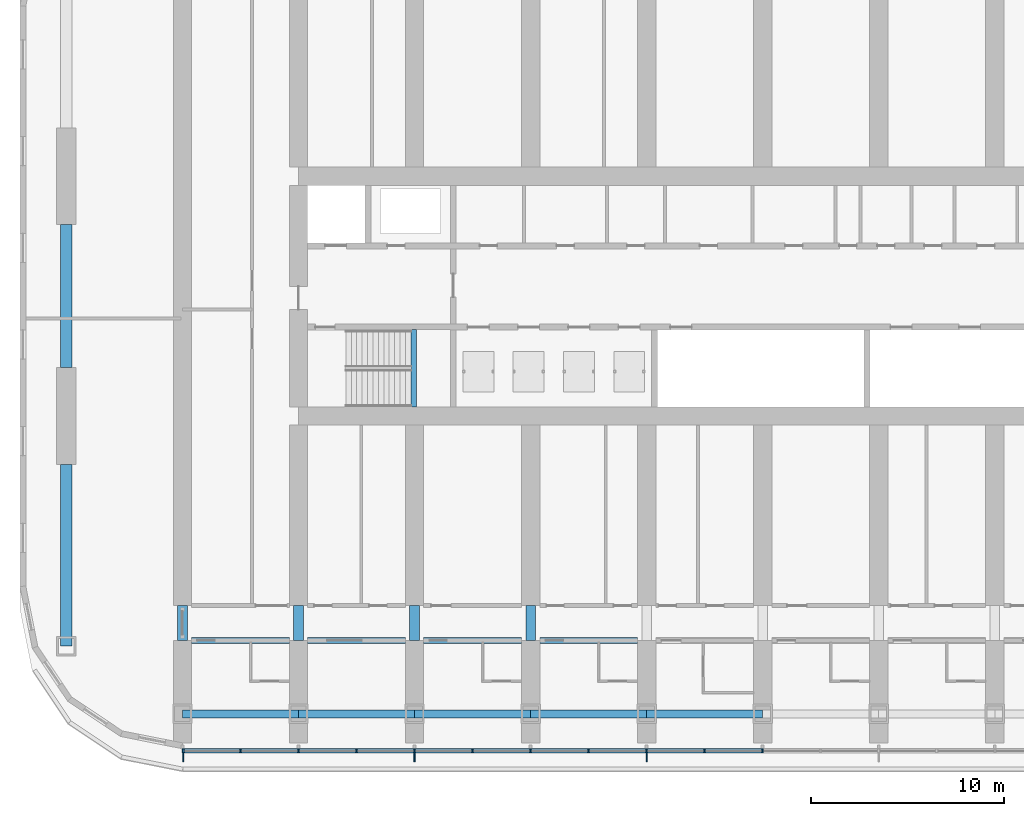
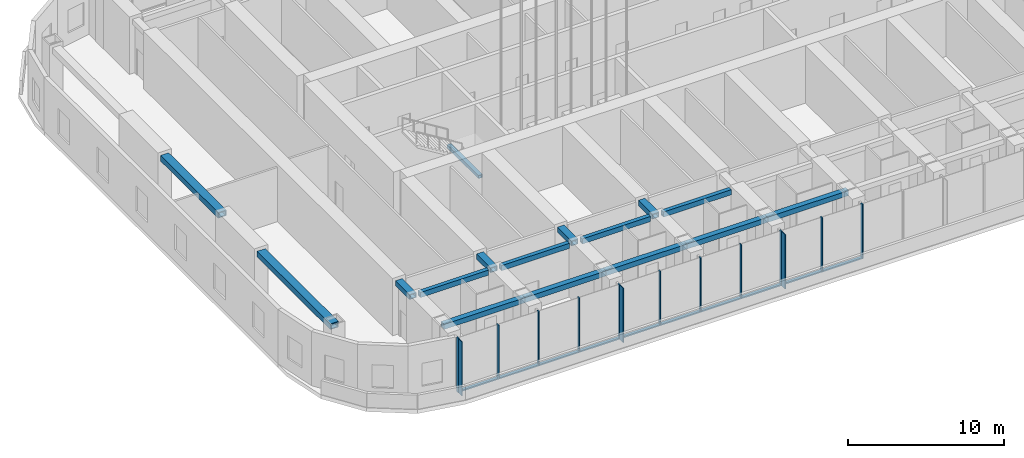
# One storey, part 2 of 31: 24 members, 16 beams, 1 element without a shape of its own.
"""IFC4 building model written with IfcOpenShell, lengths in metres."""

from ifc_helpers import new_model, si_unit, direction, frame, origin, origin_2d, place, context, subcontext, project, spatial, rectangle, hollow_rectangle, extrude, material, material_profile, profile_set, type_object, element, aggregate, save


model = new_model("IFC4")

# Units and contexts
model_context = context("Model", 3, precision=1e-05, world=origin(), true_north=direction((0.0, 1.0)))
body_context = subcontext(model_context, "Body", "Model", "MODEL_VIEW")
ifc_project = project(units=[si_unit("LENGTHUNIT", "METRE"), si_unit("AREAUNIT", "SQUARE_METRE"), si_unit("VOLUMEUNIT", "CUBIC_METRE"), si_unit("PLANEANGLEUNIT", "RADIAN"), si_unit("MASSUNIT", "GRAM", prefix="KILO")], contexts=[model_context])

# Site, building, storey
site_placement = place(None, origin())
site = spatial("IfcSite", under=ifc_project, at=site_placement, CompositionType="ELEMENT")
building_placement = place(site_placement, origin())
building = spatial("IfcBuilding", under=site, at=building_placement, Name="Orbita Commons", CompositionType="ELEMENT")
storey_placement = place(building_placement, frame((0.0, 0.0, 76.14990234375)))
storey = spatial("IfcBuildingStorey", under=building, at=storey_placement, Name="L18", CompositionType="ELEMENT", Elevation=76.14990234375)

# Curtain wall, members
ifc_material_1 = material(Name="Anodised aluminium frame, pale silver", Category="aluminium")
curtain_wall_type = type_object("IfcCurtainWallType", Name="Unitised curtain wall CW-S, full-height", PredefinedType="NOTDEFINED", material=ifc_material_1)
curtain_wall_placement = place(storey_placement, origin())
curtain_wall = element("IfcCurtainWall", 1, at=curtain_wall_placement, inside=storey, type_object=curtain_wall_type, Name="Curtain wall south L18", PredefinedType="NOTDEFINED")
ifc_material_2 = material(Name="Anodised aluminium, pale silver", Category="aluminium")
ifc_material_profile_1 = material_profile(ifc_material_2, rectangle(XDim=0.080078125, YDim=0.219970703125, at=origin_2d()), Name="AL 80x220")
ifc_profile_set_1 = profile_set([ifc_material_profile_1], Name="Anodised aluminium, pale silver")
member_type_1 = type_object("IfcMemberType", Name="Curtain wall mullion 80x220", PredefinedType="MULLION", material=ifc_profile_set_1)
member_1_placement = place(storey_placement, frame((12.0400390625, 8.489990234375, 0.0), z_axis=(0.0, 0.0, 1.0), x_axis=(1.0, 0.0, 0.0)))
member_1 = element("IfcMember", 2, at=member_1_placement, type_object=member_type_1, Name="Mullion 1 CW-L18-S", PredefinedType="MULLION", context=body_context, shape_type="SweptSolid", body=[
    extrude(rectangle(XDim=0.080078125, YDim=0.219970703125, at=origin_2d()), origin(), (0.0, 0.0, 1.0), 4.25),
])
member_2_placement = place(storey_placement, frame((15.0, 8.489990234375, 0.0), z_axis=(0.0, 0.0, 1.0), x_axis=(1.0, 0.0, 0.0)))
member_2 = element("IfcMember", 3, at=member_2_placement, type_object=member_type_1, Name="Mullion 2 CW-L18-S", PredefinedType="MULLION", context=body_context, shape_type="SweptSolid", body=[
    extrude(rectangle(XDim=0.080078125, YDim=0.219970703125, at=origin_2d()), origin(), (0.0, 0.0, 1.0), 4.25),
])
member_3_placement = place(storey_placement, frame((18.0, 8.489990234375, 0.0), z_axis=(0.0, 0.0, 1.0), x_axis=(1.0, 0.0, 0.0)))
member_3 = element("IfcMember", 4, at=member_3_placement, type_object=member_type_1, Name="Mullion 3 CW-L18-S", PredefinedType="MULLION", context=body_context, shape_type="SweptSolid", body=[
    extrude(rectangle(XDim=0.080078125, YDim=0.219970703125, at=origin_2d()), origin(), (0.0, 0.0, 1.0), 4.25),
])
member_4_placement = place(storey_placement, frame((21.0, 8.489990234375, 0.0), z_axis=(0.0, 0.0, 1.0), x_axis=(1.0, 0.0, 0.0)))
member_4 = element("IfcMember", 5, at=member_4_placement, type_object=member_type_1, Name="Mullion 4 CW-L18-S", PredefinedType="MULLION", context=body_context, shape_type="SweptSolid", body=[
    extrude(rectangle(XDim=0.080078125, YDim=0.219970703125, at=origin_2d()), origin(), (0.0, 0.0, 1.0), 4.25),
])
member_5_placement = place(storey_placement, frame((24.0, 8.489990234375, 0.0), z_axis=(0.0, 0.0, 1.0), x_axis=(1.0, 0.0, 0.0)))
member_5 = element("IfcMember", 6, at=member_5_placement, type_object=member_type_1, Name="Mullion 5 CW-L18-S", PredefinedType="MULLION", context=body_context, shape_type="SweptSolid", body=[
    extrude(rectangle(XDim=0.080078125, YDim=0.219970703125, at=origin_2d()), origin(), (0.0, 0.0, 1.0), 4.25),
])
member_6_placement = place(storey_placement, frame((27.0, 8.489990234375, 0.0), z_axis=(0.0, 0.0, 1.0), x_axis=(1.0, 0.0, 0.0)))
member_6 = element("IfcMember", 7, at=member_6_placement, type_object=member_type_1, Name="Mullion 6 CW-L18-S", PredefinedType="MULLION", context=body_context, shape_type="SweptSolid", body=[
    extrude(rectangle(XDim=0.080078125, YDim=0.219970703125, at=origin_2d()), origin(), (0.0, 0.0, 1.0), 4.25),
])
member_7_placement = place(storey_placement, frame((30.0, 8.489990234375, 0.0), z_axis=(0.0, 0.0, 1.0), x_axis=(1.0, 0.0, 0.0)))
member_7 = element("IfcMember", 8, at=member_7_placement, type_object=member_type_1, Name="Mullion 7 CW-L18-S", PredefinedType="MULLION", context=body_context, shape_type="SweptSolid", body=[
    extrude(rectangle(XDim=0.080078125, YDim=0.219970703125, at=origin_2d()), origin(), (0.0, 0.0, 1.0), 4.25),
])
member_8_placement = place(storey_placement, frame((33.0, 8.489990234375, 0.0), z_axis=(0.0, 0.0, 1.0), x_axis=(1.0, 0.0, 0.0)))
member_8 = element("IfcMember", 9, at=member_8_placement, type_object=member_type_1, Name="Mullion 8 CW-L18-S", PredefinedType="MULLION", context=body_context, shape_type="SweptSolid", body=[
    extrude(rectangle(XDim=0.080078125, YDim=0.219970703125, at=origin_2d()), origin(), (0.0, 0.0, 1.0), 4.25),
])
member_9_placement = place(storey_placement, frame((36.0, 8.489990234375, 0.0), z_axis=(0.0, 0.0, 1.0), x_axis=(1.0, 0.0, 0.0)))
member_9 = element("IfcMember", 10, at=member_9_placement, type_object=member_type_1, Name="Mullion 9 CW-L18-S", PredefinedType="MULLION", context=body_context, shape_type="SweptSolid", body=[
    extrude(rectangle(XDim=0.080078125, YDim=0.219970703125, at=origin_2d()), origin(), (0.0, 0.0, 1.0), 4.25),
])
member_10_placement = place(storey_placement, frame((39.0, 8.489990234375, 0.0), z_axis=(0.0, 0.0, 1.0), x_axis=(1.0, 0.0, 0.0)))
member_10 = element("IfcMember", 11, at=member_10_placement, type_object=member_type_1, Name="Mullion 10 CW-L18-S", PredefinedType="MULLION", context=body_context, shape_type="SweptSolid", body=[
    extrude(rectangle(XDim=0.080078125, YDim=0.219970703125, at=origin_2d()), origin(), (0.0, 0.0, 1.0), 4.25),
])
member_11_placement = place(storey_placement, frame((42.0, 8.489990234375, 0.0), z_axis=(0.0, 0.0, 1.0), x_axis=(1.0, 0.0, 0.0)))
member_11 = element("IfcMember", 12, at=member_11_placement, type_object=member_type_1, Name="Mullion 11 CW-L18-S", PredefinedType="MULLION", context=body_context, shape_type="SweptSolid", body=[
    extrude(rectangle(XDim=0.080078125, YDim=0.219970703125, at=origin_2d()), origin(), (0.0, 0.0, 1.0), 4.25),
])
ifc_material_3 = material(Name="Anodised aluminium, pale silver", Category="aluminium")
ifc_material_profile_2 = material_profile(ifc_material_3, rectangle(XDim=0.219970703125, YDim=0.10009765625, at=origin_2d()), Name="AL 220x100")
ifc_profile_set_2 = profile_set([ifc_material_profile_2], Name="Anodised aluminium, pale silver")
member_type_2 = type_object("IfcMemberType", Name="Curtain wall stack transom 220x100", PredefinedType="USERDEFINED", material=ifc_profile_set_2)
member_12_placement = place(storey_placement, frame((12.080078125, 8.489990234375, 0.050048828125), z_axis=(1.0, 0.0, 0.0), x_axis=(0.0, 1.0, 0.0)))
member_12 = element("IfcMember", 13, at=member_12_placement, type_object=member_type_2, Name="Transom 1.1 CW-L18-S", ObjectType="TRANSOM", PredefinedType="USERDEFINED", context=body_context, shape_type="SweptSolid", body=[
    extrude(rectangle(XDim=0.219970703125, YDim=0.10009765625, at=origin_2d()), origin(), (0.0, 0.0, 1.0), 2.8798828125),
])
member_13_placement = place(storey_placement, frame((15.0400390625, 8.489990234375, 0.050048828125), z_axis=(1.0, 0.0, 0.0), x_axis=(0.0, 1.0, 0.0)))
member_13 = element("IfcMember", 14, at=member_13_placement, type_object=member_type_2, Name="Transom 2.1 CW-L18-S", ObjectType="TRANSOM", PredefinedType="USERDEFINED", context=body_context, shape_type="SweptSolid", body=[
    extrude(rectangle(XDim=0.219970703125, YDim=0.10009765625, at=origin_2d()), origin(), (0.0, 0.0, 1.0), 2.919921875),
])
member_14_placement = place(storey_placement, frame((18.0400390625, 8.489990234375, 0.050048828125), z_axis=(1.0, 0.0, 0.0), x_axis=(0.0, 1.0, 0.0)))
member_14 = element("IfcMember", 15, at=member_14_placement, type_object=member_type_2, Name="Transom 3.1 CW-L18-S", ObjectType="TRANSOM", PredefinedType="USERDEFINED", context=body_context, shape_type="SweptSolid", body=[
    extrude(rectangle(XDim=0.219970703125, YDim=0.10009765625, at=origin_2d()), origin(), (0.0, 0.0, 1.0), 2.919921875),
])
member_15_placement = place(storey_placement, frame((21.0400390625, 8.489990234375, 0.050048828125), z_axis=(1.0, 0.0, 0.0), x_axis=(0.0, 1.0, 0.0)))
member_15 = element("IfcMember", 16, at=member_15_placement, type_object=member_type_2, Name="Transom 4.1 CW-L18-S", ObjectType="TRANSOM", PredefinedType="USERDEFINED", context=body_context, shape_type="SweptSolid", body=[
    extrude(rectangle(XDim=0.219970703125, YDim=0.10009765625, at=origin_2d()), origin(), (0.0, 0.0, 1.0), 2.919921875),
])
member_16_placement = place(storey_placement, frame((24.0400390625, 8.489990234375, 0.050048828125), z_axis=(1.0, 0.0, 0.0), x_axis=(0.0, 1.0, 0.0)))
member_16 = element("IfcMember", 17, at=member_16_placement, type_object=member_type_2, Name="Transom 5.1 CW-L18-S", ObjectType="TRANSOM", PredefinedType="USERDEFINED", context=body_context, shape_type="SweptSolid", body=[
    extrude(rectangle(XDim=0.219970703125, YDim=0.10009765625, at=origin_2d()), origin(), (0.0, 0.0, 1.0), 2.919921875),
])
member_17_placement = place(storey_placement, frame((27.0400390625, 8.489990234375, 0.050048828125), z_axis=(1.0, 0.0, 0.0), x_axis=(0.0, 1.0, 0.0)))
member_17 = element("IfcMember", 18, at=member_17_placement, type_object=member_type_2, Name="Transom 6.1 CW-L18-S", ObjectType="TRANSOM", PredefinedType="USERDEFINED", context=body_context, shape_type="SweptSolid", body=[
    extrude(rectangle(XDim=0.219970703125, YDim=0.10009765625, at=origin_2d()), origin(), (0.0, 0.0, 1.0), 2.919921875),
])
member_18_placement = place(storey_placement, frame((30.0400390625, 8.489990234375, 0.050048828125), z_axis=(1.0, 0.0, 0.0), x_axis=(0.0, 1.0, 0.0)))
member_18 = element("IfcMember", 19, at=member_18_placement, type_object=member_type_2, Name="Transom 7.1 CW-L18-S", ObjectType="TRANSOM", PredefinedType="USERDEFINED", context=body_context, shape_type="SweptSolid", body=[
    extrude(rectangle(XDim=0.219970703125, YDim=0.10009765625, at=origin_2d()), origin(), (0.0, 0.0, 1.0), 2.919921875),
])
member_19_placement = place(storey_placement, frame((33.0400390625, 8.489990234375, 0.050048828125), z_axis=(1.0, 0.0, 0.0), x_axis=(0.0, 1.0, 0.0)))
member_19 = element("IfcMember", 20, at=member_19_placement, type_object=member_type_2, Name="Transom 8.1 CW-L18-S", ObjectType="TRANSOM", PredefinedType="USERDEFINED", context=body_context, shape_type="SweptSolid", body=[
    extrude(rectangle(XDim=0.219970703125, YDim=0.10009765625, at=origin_2d()), origin(), (0.0, 0.0, 1.0), 2.919921875),
])
member_20_placement = place(storey_placement, frame((36.0400390625, 8.489990234375, 0.050048828125), z_axis=(1.0, 0.0, 0.0), x_axis=(0.0, 1.0, 0.0)))
member_20 = element("IfcMember", 21, at=member_20_placement, type_object=member_type_2, Name="Transom 9.1 CW-L18-S", ObjectType="TRANSOM", PredefinedType="USERDEFINED", context=body_context, shape_type="SweptSolid", body=[
    extrude(rectangle(XDim=0.219970703125, YDim=0.10009765625, at=origin_2d()), origin(), (0.0, 0.0, 1.0), 2.919921875),
])
member_21_placement = place(storey_placement, frame((39.0400390625, 8.489990234375, 0.050048828125), z_axis=(1.0, 0.0, 0.0), x_axis=(0.0, 1.0, 0.0)))
member_21 = element("IfcMember", 22, at=member_21_placement, type_object=member_type_2, Name="Transom 10.1 CW-L18-S", ObjectType="TRANSOM", PredefinedType="USERDEFINED", context=body_context, shape_type="SweptSolid", body=[
    extrude(rectangle(XDim=0.219970703125, YDim=0.10009765625, at=origin_2d()), origin(), (0.0, 0.0, 1.0), 2.919921875),
])

# Beams
ifc_material_4 = material(Name="Steel ASTM A572 Gr 50 welded plate", Category="steel")
ifc_material_profile_3 = material_profile(ifc_material_4, hollow_rectangle(XDim=0.300048828125, YDim=0.25, WallThickness=0.02490234375, at=origin_2d()), Name="BOX 250x300x25")
ifc_profile_set_3 = profile_set([ifc_material_profile_3], Name="Steel ASTM A572 Gr 50 welded plate")
beam_type_1 = type_object("IfcBeamType", Name="Stair landing beam steel BOX 250x300x25", PredefinedType="BEAM", material=ifc_profile_set_3)
beam_1_placement = place(storey_placement, frame((23.9599609375, 26.260009765625, 1.925048828125), z_axis=(0.0, 1.0, 0.0), x_axis=(-1.0, 0.0, 0.0)))
element("IfcBeam", 23, at=beam_1_placement, inside=storey, type_object=beam_type_1, Name="Stair S1 landing beam L18 1", PredefinedType="BEAM", context=body_context, shape_type="SweptSolid", body=[
    extrude(hollow_rectangle(XDim=0.300048828125, YDim=0.25, WallThickness=0.02490234375, at=origin_2d()), origin(), (0.0, 0.0, 1.0), 4.0048828125),
])
ifc_material_5 = material(Name="Steel ASTM A572 Gr 50 welded plate", Category="steel")
ifc_material_profile_4 = material_profile(ifc_material_5, hollow_rectangle(XDim=0.300048828125, YDim=0.39990234375, WallThickness=0.0400390625, at=origin_2d()), Name="BOX 400x300x40")
ifc_profile_set_4 = profile_set([ifc_material_profile_4], Name="Steel ASTM A572 Gr 50 welded plate")
beam_type_2 = type_object("IfcBeamType", Name="Steel corridor link BOX 400x300x40", PredefinedType="BEAM", material=ifc_profile_set_4)
for number, where, z_axis, x_axis, name in (
    (24, (12.47509765625, 14.199951171875, 4.050048828125), (1.0, 0.0, 0.0), (0.0, 1.0, 0.0), "Corridor beam SA 3-4 L18"),
    (25, (18.47509765625, 14.199951171875, 4.050048828125), (1.0, 0.0, 0.0), (0.0, 1.0, 0.0), "Corridor beam SA 4-5 L18"),
    (26, (24.47509765625, 14.199951171875, 4.050048828125), (1.0, 0.0, 0.0), (0.0, 1.0, 0.0), "Corridor beam SA 5-6 L18"),
    (27, (30.47509765625, 14.199951171875, 4.050048828125), (1.0, 0.0, 0.0), (0.0, 1.0, 0.0), "Corridor beam SA 6-7 L18"),
):
    element("IfcBeam", number, at=place(storey_placement, frame(where, z_axis=z_axis, x_axis=x_axis)), inside=storey, type_object=beam_type_2, Name=name, PredefinedType="BEAM", context=body_context, shape_type="SweptSolid", body=[
        extrude(hollow_rectangle(XDim=0.300048828125, YDim=0.39990234375, WallThickness=0.0400390625, at=origin_2d()), origin(), (0.0, 0.0, 1.0), 5.0498046875),
    ])
ifc_material_6 = material(Name="Steel ASTM A572 Gr 50 welded plate", Category="steel")
ifc_material_profile_5 = material_profile(ifc_material_6, hollow_rectangle(XDim=0.5, YDim=0.39990234375, WallThickness=0.050048828125, at=origin_2d()), Name="BOX 400x500x50")
ifc_profile_set_5 = profile_set([ifc_material_profile_5], Name="Steel ASTM A572 Gr 50 welded plate")
beam_type_3 = type_object("IfcBeamType", Name="Steel coupling link BOX 400x500x50", PredefinedType="LINTEL", material=ifc_profile_set_5)
for number, where, z_axis, x_axis, name in (
    (28, (12.0, 14.199951171875, 4.050048828125), (0.0, 1.0, 0.0), (-1.0, 0.0, 0.0), "Coupling beam 3 south L18"),
    (29, (18.0, 14.199951171875, 4.050048828125), (0.0, 1.0, 0.0), (-1.0, 0.0, 0.0), "Coupling beam 4 south L18"),
    (30, (24.0, 14.199951171875, 4.050048828125), (0.0, 1.0, 0.0), (-1.0, 0.0, 0.0), "Coupling beam 5 south L18"),
    (31, (30.0, 14.199951171875, 4.050048828125), (0.0, 1.0, 0.0), (-1.0, 0.0, 0.0), "Coupling beam 6 south L18"),
):
    element("IfcBeam", number, at=place(storey_placement, frame(where, z_axis=z_axis, x_axis=x_axis)), inside=storey, type_object=beam_type_3, Name=name, PredefinedType="LINTEL", context=body_context, shape_type="SweptSolid", body=[
        extrude(hollow_rectangle(XDim=0.5, YDim=0.39990234375, WallThickness=0.050048828125, at=origin_2d()), origin(), (0.0, 0.0, 1.0), 1.800048828125),
    ])
ifc_material_7 = material(Name="Steel ASTM A572 Gr 50 welded plate", Category="steel")
ifc_material_profile_6 = material_profile(ifc_material_7, hollow_rectangle(XDim=0.60009765625, YDim=0.449951171875, WallThickness=0.06005859375, at=origin_2d()), Name="BOX 450x600x60")
ifc_profile_set_6 = profile_set([ifc_material_profile_6], Name="Steel ASTM A572 Gr 50 welded plate")
beam_type_4 = type_object("IfcBeamType", Name="Steel end frame link BOX 450x600x60", PredefinedType="BEAM", material=ifc_profile_set_6)
beam_2_placement = place(storey_placement, frame((6.0, 13.89990234375, 4.025146484375), z_axis=(0.0, 1.0, 0.0), x_axis=(-1.0, 0.0, 0.0)))
element("IfcBeam", 32, at=beam_2_placement, inside=storey, type_object=beam_type_4, Name="End frame beam 2 B-C L18", PredefinedType="BEAM", context=body_context, shape_type="SweptSolid", body=[
    extrude(hollow_rectangle(XDim=0.60009765625, YDim=0.449951171875, WallThickness=0.06005859375, at=origin_2d()), origin(), (0.0, 0.0, 1.0), 9.400146484375),
])
beam_3_placement = place(storey_placement, frame((6.0, 28.300048828125, 4.025146484375), z_axis=(0.0, 1.0, 0.0), x_axis=(-1.0, 0.0, 0.0)))
element("IfcBeam", 33, at=beam_3_placement, inside=storey, type_object=beam_type_4, Name="End frame beam 2 C-D L18", PredefinedType="BEAM", context=body_context, shape_type="SweptSolid", body=[
    extrude(hollow_rectangle(XDim=0.60009765625, YDim=0.449951171875, WallThickness=0.06005859375, at=origin_2d()), origin(), (0.0, 0.0, 1.0), 7.39990234375),
])
ifc_material_8 = material(Name="Steel ASTM A572 Gr 50 welded plate", Category="steel")
ifc_material_profile_7 = material_profile(ifc_material_8, hollow_rectangle(XDim=0.39990234375, YDim=0.39990234375, WallThickness=0.0400390625, at=origin_2d()), Name="BOX 400x400x40")
ifc_profile_set_7 = profile_set([ifc_material_profile_7], Name="Steel ASTM A572 Gr 50 welded plate")
beam_type_5 = type_object("IfcBeamType", Name="Steel spandrel BOX 400x400x40", PredefinedType="SPANDREL", material=ifc_profile_set_7)
for number, where, z_axis, x_axis, name in (
    (34, (12.0, 10.39990234375, 4.050048828125), (1.0, 0.0, 0.0), (0.0, 1.0, 0.0), "Spandrel beam B 3-4 L18"),
    (35, (18.0, 10.39990234375, 4.050048828125), (1.0, 0.0, 0.0), (0.0, 1.0, 0.0), "Spandrel beam B 4-5 L18"),
    (36, (24.0, 10.39990234375, 4.050048828125), (1.0, 0.0, 0.0), (0.0, 1.0, 0.0), "Spandrel beam B 5-6 L18"),
    (37, (30.0, 10.39990234375, 4.050048828125), (1.0, 0.0, 0.0), (0.0, 1.0, 0.0), "Spandrel beam B 6-7 L18"),
    (38, (36.0, 10.39990234375, 4.050048828125), (1.0, 0.0, 0.0), (0.0, 1.0, 0.0), "Spandrel beam B 7-8 L18"),
):
    element("IfcBeam", number, at=place(storey_placement, frame(where, z_axis=z_axis, x_axis=x_axis)), inside=storey, type_object=beam_type_5, Name=name, PredefinedType="SPANDREL", context=body_context, shape_type="SweptSolid", body=[
        extrude(hollow_rectangle(XDim=0.39990234375, YDim=0.39990234375, WallThickness=0.0400390625, at=origin_2d()), origin(), (0.0, 0.0, 1.0), 6.0),
    ])

# Member
ifc_material_9 = material(Name="Anodised aluminium, pale silver", Category="aluminium")
ifc_material_profile_8 = material_profile(ifc_material_9, rectangle(XDim=0.06005859375, YDim=0.449951171875, at=origin_2d()), Name="FIN 60x450")
ifc_profile_set_8 = profile_set([ifc_material_profile_8], Name="Anodised aluminium, pale silver")
member_type_3 = type_object("IfcMemberType", Name="Vertical fin 60x450 pale aluminium", PredefinedType="USERDEFINED", material=ifc_profile_set_8)
member_22_placement = place(storey_placement, frame((12.0400390625, 8.155029296875, 0.0), z_axis=(0.0, 0.0, 1.0), x_axis=(1.0, 0.0, 0.0)))
member_22 = element("IfcMember", 39, at=member_22_placement, type_object=member_type_3, Name="Fin 1 CW-L18-S", ObjectType="FIN", PredefinedType="USERDEFINED", context=body_context, shape_type="SweptSolid", body=[
    extrude(rectangle(XDim=0.06005859375, YDim=0.449951171875, at=origin_2d()), origin(), (0.0, 0.0, 1.0), 4.25),
])

member_23_placement = place(storey_placement, frame((24.0, 8.155029296875, 0.0), z_axis=(0.0, 0.0, 1.0), x_axis=(1.0, 0.0, 0.0)))
member_23 = element("IfcMember", 40, at=member_23_placement, type_object=member_type_3, Name="Fin 5 CW-L18-S", ObjectType="FIN", PredefinedType="USERDEFINED", context=body_context, shape_type="SweptSolid", body=[
    extrude(rectangle(XDim=0.06005859375, YDim=0.449951171875, at=origin_2d()), origin(), (0.0, 0.0, 1.0), 4.25),
])

member_24_placement = place(storey_placement, frame((36.0, 8.155029296875, 0.0), z_axis=(0.0, 0.0, 1.0), x_axis=(1.0, 0.0, 0.0)))
member_24 = element("IfcMember", 41, at=member_24_placement, type_object=member_type_3, Name="Fin 9 CW-L18-S", ObjectType="FIN", PredefinedType="USERDEFINED", context=body_context, shape_type="SweptSolid", body=[
    extrude(rectangle(XDim=0.06005859375, YDim=0.449951171875, at=origin_2d()), origin(), (0.0, 0.0, 1.0), 4.25),
])

aggregate(curtain_wall, [member_1, member_22, member_2, member_3, member_4, member_5, member_23, member_6, member_7, member_8, member_9, member_24, member_10, member_11, member_12, member_13, member_14, member_15, member_16, member_17, member_18, member_19, member_20, member_21])

save(model, "model.ifc")
